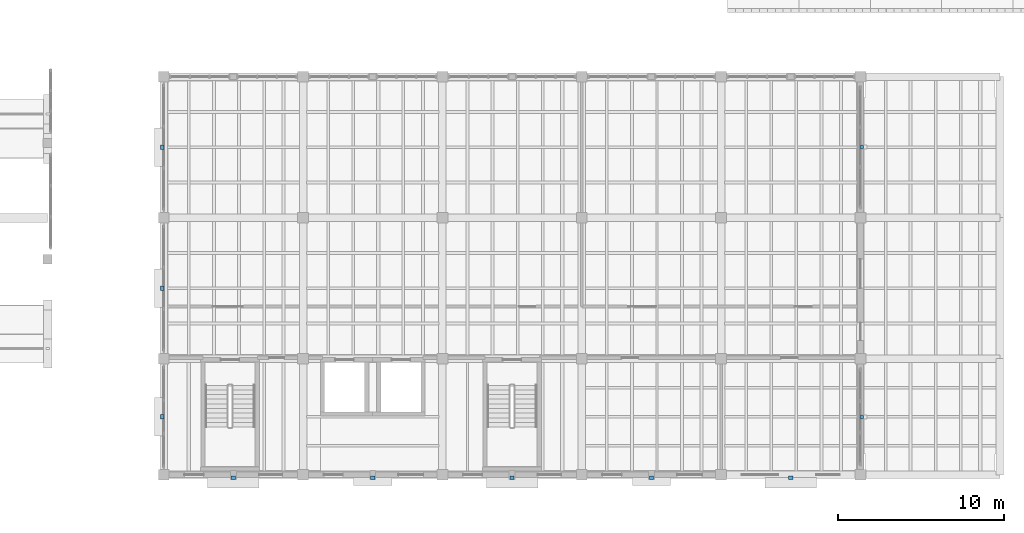
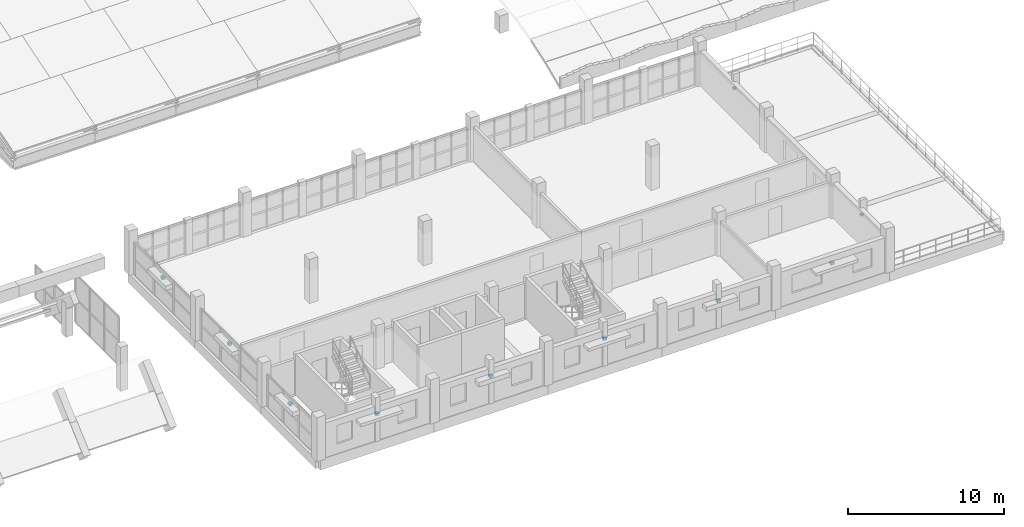
# One storey, part 41 of 48: 10 discrete accessories.
"""IFC4 building model written with IfcOpenShell, lengths in metres."""

from ifc_helpers import new_model, si_unit, direction, frame, origin, origin_2d, place, context, subcontext, project, spatial, rectangle, extrude, material, type_object, element, save


model = new_model("IFC4")

# Units and contexts
model_context = context("Model", 3, precision=1e-05, world=origin(), true_north=direction((0.0, 1.0)))
body_context = subcontext(model_context, "Body", "Model", "MODEL_VIEW")
ifc_project = project(units=[si_unit("LENGTHUNIT", "METRE"), si_unit("AREAUNIT", "SQUARE_METRE"), si_unit("VOLUMEUNIT", "CUBIC_METRE"), si_unit("PLANEANGLEUNIT", "RADIAN"), si_unit("MASSUNIT", "GRAM", prefix="KILO")], contexts=[model_context])

# Site, building, storey
site_placement = place(None, origin())
site = spatial("IfcSite", under=ifc_project, at=site_placement, CompositionType="ELEMENT")
building_placement = place(site_placement, origin())
building = spatial("IfcBuilding", under=site, at=building_placement, Name="Trellovar Central Fire Station", CompositionType="ELEMENT")
storey_placement = place(building_placement, frame((0.0, 0.0, 9.300048828125)))
storey = spatial("IfcBuildingStorey", under=building, at=storey_placement, Name="L03", CompositionType="ELEMENT", Elevation=9.300048828125)

# Discrete accessories
ifc_material_1 = material(Name="Patina bronze wrought metalwork", Category="metal")
discrete_accessory_type_1 = type_object("IfcDiscreteAccessoryType", Name="ACC-BRK1", PredefinedType="BRACKET", material=ifc_material_1)
for number, where, z_axis, x_axis, name in (
    (1, (109.699951171875, 8.830078125, 2.0), (0.0, 0.0, 1.0), (1.0, 0.0, 0.0), "L03 bronze shade mounting bracket 78"),
    (2, (118.10009765625, 8.830078125, 2.0), (0.0, 0.0, 1.0), (1.0, 0.0, 0.0), "L03 bronze shade mounting bracket 79"),
    (3, (126.5, 8.830078125, 2.0), (0.0, 0.0, 1.0), (1.0, 0.0, 0.0), "L03 bronze shade mounting bracket 80"),
    (4, (134.89990234375, 8.830078125, 2.0), (0.0, 0.0, 1.0), (1.0, 0.0, 0.0), "L03 bronze shade mounting bracket 81"),
    (5, (143.300048828125, 8.830078125, 2.0), (0.0, 0.0, 1.0), (1.0, 0.0, 0.0), "L03 bronze shade mounting bracket 82"),
    (6, (105.419921875, 12.5, 2.0498046875), (0.0, 0.0, 1.0), (0.0, 1.0, 0.0), "L03 bronze shade mounting bracket 83"),
    (7, (105.419921875, 20.25, 2.0498046875), (0.0, 0.0, 1.0), (0.0, 1.0, 0.0), "L03 bronze shade mounting bracket 84"),
    (8, (105.419921875, 28.75, 2.0498046875), (0.0, 0.0, 1.0), (0.0, 1.0, 0.0), "L03 bronze shade mounting bracket 85"),
):
    element("IfcDiscreteAccessory", number, at=place(storey_placement, frame(where, z_axis=z_axis, x_axis=x_axis)), inside=storey, type_object=discrete_accessory_type_1, Name=name, PredefinedType="BRACKET", context=body_context, shape_type="SweptSolid", body=[
        extrude(rectangle(XDim=0.260009765625, YDim=0.219970703125, at=origin_2d()), origin(), (0.0, 0.0, 1.0), 0.199951171875),
    ])
ifc_material_2 = material(Name="Patina bronze wrought metalwork", Category="metal")
discrete_accessory_type_2 = type_object("IfcDiscreteAccessoryType", Name="ACC-BRK2", PredefinedType="BRACKET", material=ifc_material_2)
for number, where, z_axis, x_axis, name in (
    (9, (147.580078125, 12.5, 2.06982421875), (0.0, 0.0, 1.0), (1.0, 0.0, 0.0), "L03 bronze shade mounting bracket 86"),
    (10, (147.580078125, 28.75, 2.06982421875), (0.0, 0.0, 1.0), (1.0, 0.0, 0.0), "L03 bronze shade mounting bracket 87"),
):
    element("IfcDiscreteAccessory", number, at=place(storey_placement, frame(where, z_axis=z_axis, x_axis=x_axis)), inside=storey, type_object=discrete_accessory_type_2, Name=name, PredefinedType="BRACKET", context=body_context, shape_type="SweptSolid", body=[
        extrude(rectangle(XDim=0.199951171875, YDim=0.179931640625, at=origin_2d()), origin(), (0.0, 0.0, 1.0), 0.159912109375),
    ])

save(model, "model.ifc")
